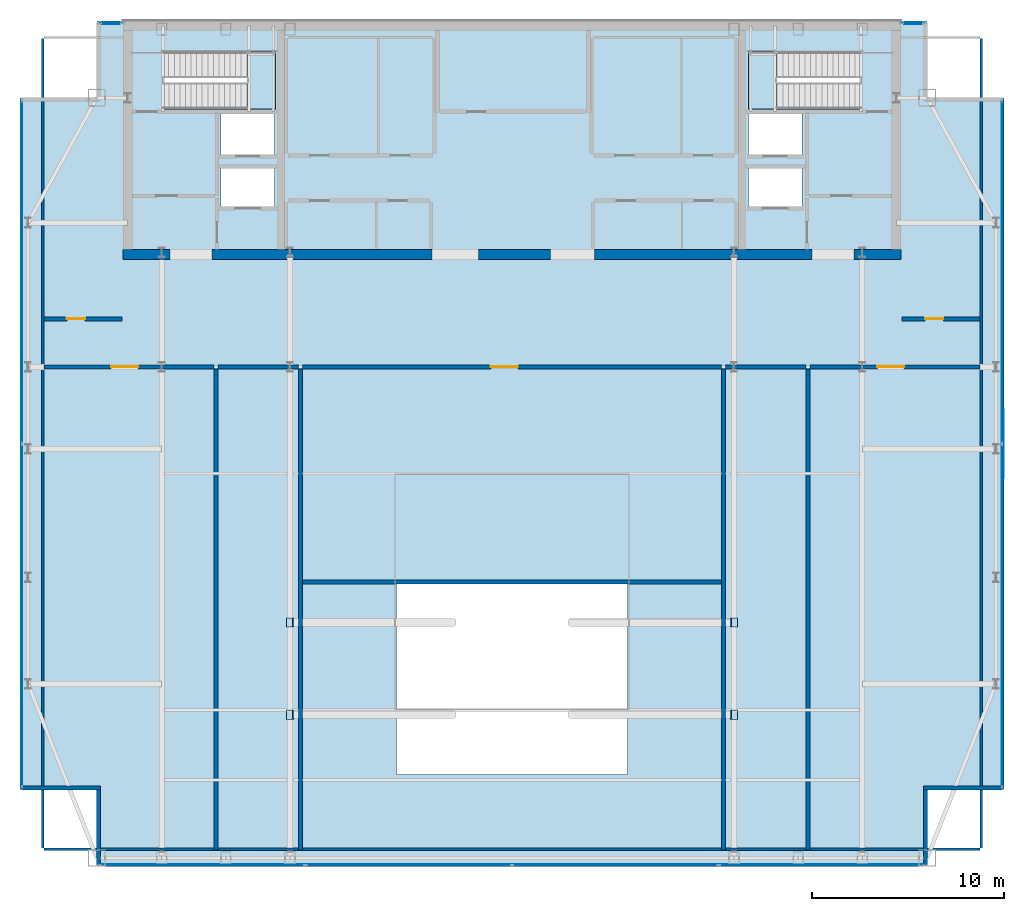
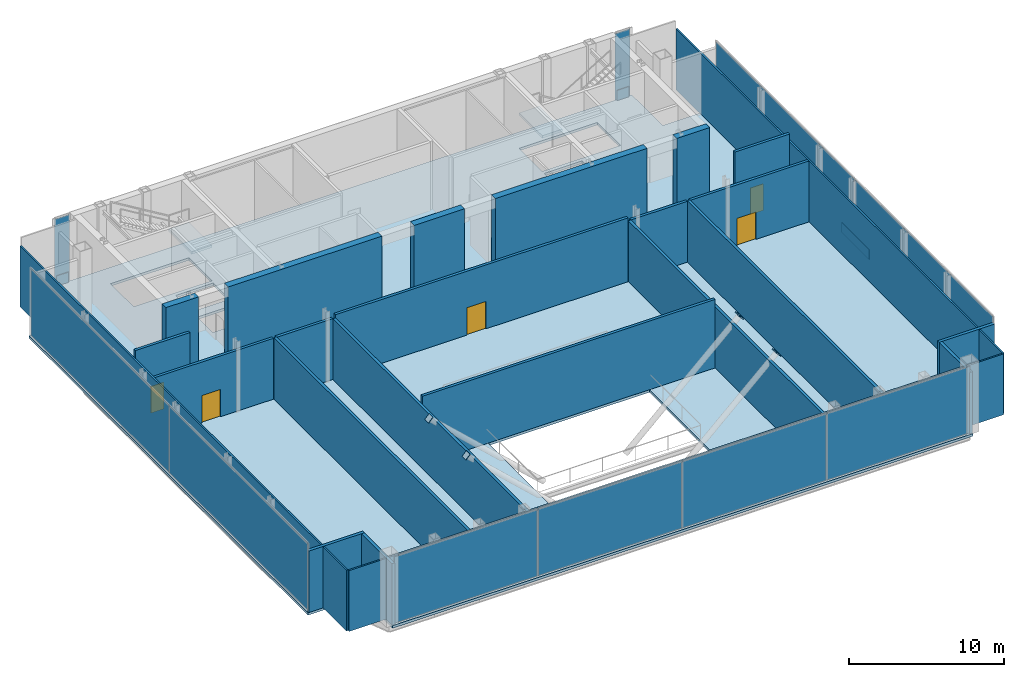
# One storey, part 19 of 23: 24 walls, 17 plates, 5 doors, 3 slabs, 5 openings, 7 elements without a shape of their own.
"""IFC4 building model written with IfcOpenShell, lengths in metres."""

from ifc_helpers import new_model, si_unit, direction, frame, frame_2d, origin, origin_2d, place, context, subcontext, project, spatial, polyline, rectangle, outline, extrude, material, layer, layer_set, type_object, element, fill, aggregate, save


model = new_model("IFC4")

# Units and contexts
model_context = context("Model", 3, precision=1e-05, world=origin(), true_north=direction((0.0, 1.0)))
body_context = subcontext(model_context, "Body", "Model", "MODEL_VIEW")
ifc_project = project(units=[si_unit("LENGTHUNIT", "METRE"), si_unit("AREAUNIT", "SQUARE_METRE"), si_unit("VOLUMEUNIT", "CUBIC_METRE"), si_unit("PLANEANGLEUNIT", "RADIAN"), si_unit("MASSUNIT", "GRAM", prefix="KILO")], contexts=[model_context])

# Site, building, storey
site_placement = place(None, origin())
site = spatial("IfcSite", under=ifc_project, at=site_placement, CompositionType="ELEMENT")
building_placement = place(site_placement, origin())
building = spatial("IfcBuilding", under=site, at=building_placement, Name="Khoronbel Lancet Exchange", CompositionType="ELEMENT")
storey_placement = place(building_placement, frame((0.0, 0.0, 356.199951171875)))
storey = spatial("IfcBuildingStorey", under=building, at=storey_placement, Name="L92", CompositionType="ELEMENT", Elevation=356.199951171875)

# Curtain wall, plate
ifc_material_1 = material(Name="Low-E Solar Control Insulating Glass", Category="glass")
curtain_wall_type = type_object("IfcCurtainWallType", Name="CW-6", PredefinedType="NOTDEFINED", material=ifc_material_1)
curtain_wall_1_placement = place(storey_placement, origin())
curtain_wall_1 = element("IfcCurtainWall", 1, at=curtain_wall_1_placement, inside=storey, type_object=curtain_wall_type, Name="Unitised curtain wall CW-L92-NWFLK", PredefinedType="NOTDEFINED")
ifc_material_2 = material(Name="Bronze-Anodised Aluminium 6063-T6", Category="aluminium")
ifc_layer_1 = layer(ifc_material_2, 0.050048828125, Name="Bronze-Anodised Aluminium 6063-T6")
ifc_layer_set_1 = layer_set([ifc_layer_1], Name="Bronze-Anodised Aluminium 6063-T6")
plate_type_1 = type_object("IfcPlateType", Name="PLT-CSP1", PredefinedType="SHEET", material=ifc_layer_set_1)
plate_1_placement = place(storey_placement, frame((15.580078125, 53.550048828125, 0.0498046875), z_axis=(0.0, 0.0, 1.0), x_axis=(-1.0, 0.0, 0.0)))
plate_1 = element("IfcPlate", 2, at=plate_1_placement, type_object=plate_type_1, Name="Insulated bronze spandrel cassette CW-L92-NWFLK", PredefinedType="SHEET", context=body_context, shape_type="SweptSolid", body=[
    extrude(rectangle(XDim=0.89599609375, YDim=0.050048828125, at=origin_2d()), origin(), (0.0, 0.0, 1.0), 0.800048828125),
])

curtain_wall_2_placement = place(storey_placement, origin())
curtain_wall_2 = element("IfcCurtainWall", 3, at=curtain_wall_2_placement, inside=storey, type_object=curtain_wall_type, Name="Unitised curtain wall CW-L92-NEFLK", PredefinedType="NOTDEFINED")
plate_2_placement = place(storey_placement, frame((57.320068359375, 53.550048828125, 0.0498046875), z_axis=(0.0, 0.0, 1.0), x_axis=(-1.0, 0.0, 0.0)))
plate_2 = element("IfcPlate", 4, at=plate_2_placement, type_object=plate_type_1, Name="Insulated bronze spandrel cassette CW-L92-NEFLK", PredefinedType="SHEET", context=body_context, shape_type="SweptSolid", body=[
    extrude(rectangle(XDim=0.89599609375, YDim=0.050048828125, at=origin_2d()), origin(), (0.0, 0.0, 1.0), 0.800048828125),
])

curtain_wall_3_placement = place(storey_placement, origin())
curtain_wall_3 = element("IfcCurtainWall", 5, at=curtain_wall_3_placement, inside=storey, type_object=curtain_wall_type, Name="Unitised curtain wall CW-L92-E09", PredefinedType="NOTDEFINED")
plate_3_placement = place(storey_placement, frame((62.02001953125, 31.699951171875, 0.0498046875), z_axis=(0.0, 0.0, 1.0), x_axis=(0.0, -1.0, 0.0)))
plate_3 = element("IfcPlate", 6, at=plate_3_placement, type_object=plate_type_1, Name="Insulated bronze spandrel cassette CW-L92-E09", PredefinedType="SHEET", context=body_context, shape_type="SweptSolid", body=[
    extrude(rectangle(XDim=3.60009765625, YDim=0.050048828125, at=origin_2d()), origin(), (0.0, 0.0, 1.0), 0.800048828125),
])

# Curtain wall, plates
curtain_wall_4_placement = place(storey_placement, origin())
curtain_wall_4 = element("IfcCurtainWall", 7, at=curtain_wall_4_placement, inside=storey, type_object=curtain_wall_type, Name="Unitised curtain wall CW-L92-E03", PredefinedType="NOTDEFINED")
ifc_material_3 = material(Name="Ceramic-Fritted Laminated Insulating Glass", Category="glass")
ifc_layer_2 = layer(ifc_material_3, 0.0419921875, Name="Ceramic-Fritted Laminated Insulating Glass")
ifc_layer_set_2 = layer_set([ifc_layer_2], Name="Ceramic-Fritted Laminated Insulating Glass")
plate_type_2 = type_object("IfcPlateType", Name="PLT-CWP2", PredefinedType="CURTAIN_PANEL", material=ifc_layer_set_2)
plate_4_placement = place(storey_placement, frame((10.93994140625, 22.763671875, 0.0849609375), z_axis=(0.0, 0.0, 1.0), x_axis=(0.0, 1.0, 0.0)))
plate_4 = element("IfcPlate", 8, at=plate_4_placement, type_object=plate_type_2, Name="CW6 panel 1.1", PredefinedType="CURTAIN_PANEL", context=body_context, shape_type="SweptSolid", body=[
    extrude(rectangle(XDim=17.797607421875, YDim=0.0380859375, at=origin_2d()), origin(), (0.0, 0.0, 1.0), 5.22998046875),
])
plate_5_placement = place(storey_placement, frame((10.93994140625, 40.63623046875, 0.0849609375), z_axis=(0.0, 0.0, 1.0), x_axis=(0.0, 1.0, 0.0)))
plate_5 = element("IfcPlate", 9, at=plate_5_placement, type_object=plate_type_2, Name="CW6 panel 2.1", PredefinedType="CURTAIN_PANEL", context=body_context, shape_type="SweptSolid", body=[
    extrude(rectangle(XDim=17.797607421875, YDim=0.0380859375, at=origin_2d()), origin(), (0.0, 0.0, 1.0), 5.22998046875),
])
aggregate(curtain_wall_4, [plate_4, plate_5])

# Plate
plate_6_placement = place(storey_placement, frame((15.580078125, 53.610107421875, 0.0849609375), z_axis=(0.0, 0.0, 1.0), x_axis=(-1.0, 0.0, 0.0)))
plate_6 = element("IfcPlate", 10, at=plate_6_placement, type_object=plate_type_2, Name="CW6 panel 1.1", PredefinedType="CURTAIN_PANEL", context=body_context, shape_type="SweptSolid", body=[
    extrude(rectangle(XDim=1.110107421875, YDim=0.0380859375, at=origin_2d()), origin(), (0.0, 0.0, 1.0), 5.22998046875),
])

aggregate(curtain_wall_1, [plate_6, plate_1])

plate_7_placement = place(storey_placement, frame((57.320068359375, 53.610107421875, 0.0849609375), z_axis=(0.0, 0.0, 1.0), x_axis=(-1.0, 0.0, 0.0)))
plate_7 = element("IfcPlate", 11, at=plate_7_placement, type_object=plate_type_2, Name="CW6 panel 1.1", PredefinedType="CURTAIN_PANEL", context=body_context, shape_type="SweptSolid", body=[
    extrude(rectangle(XDim=1.110107421875, YDim=0.0380859375, at=origin_2d()), origin(), (0.0, 0.0, 1.0), 5.22998046875),
])

aggregate(curtain_wall_2, [plate_7, plate_2])

plate_8_placement = place(storey_placement, frame((61.9599609375, 40.63623046875, 0.0849609375), z_axis=(0.0, 0.0, 1.0), x_axis=(0.0, -1.0, 0.0)))
plate_8 = element("IfcPlate", 12, at=plate_8_placement, type_object=plate_type_2, Name="CW6 panel 1.1", PredefinedType="CURTAIN_PANEL", context=body_context, shape_type="SweptSolid", body=[
    extrude(rectangle(XDim=17.797607421875, YDim=0.0380859375, at=origin_2d()), origin(), (0.0, 0.0, 1.0), 5.22998046875),
])

plate_9_placement = place(storey_placement, frame((61.9599609375, 22.763671875, 0.0849609375), z_axis=(0.0, 0.0, 1.0), x_axis=(0.0, -1.0, 0.0)))
plate_9 = element("IfcPlate", 13, at=plate_9_placement, type_object=plate_type_2, Name="CW6 panel 2.1", PredefinedType="CURTAIN_PANEL", context=body_context, shape_type="SweptSolid", body=[
    extrude(rectangle(XDim=17.797607421875, YDim=0.0380859375, at=origin_2d()), origin(), (0.0, 0.0, 1.0), 5.22998046875),
])

aggregate(curtain_wall_3, [plate_8, plate_9, plate_3])

# Curtain wall, plates
curtain_wall_5_placement = place(storey_placement, origin())
curtain_wall_5 = element("IfcCurtainWall", 14, at=curtain_wall_5_placement, inside=storey, type_object=curtain_wall_type, Name="Unitised curtain wall CW-L92-E12", PredefinedType="NOTDEFINED")
plate_10_placement = place(storey_placement, frame((52.563720703125, 9.7900390625, 0.0849609375), z_axis=(0.0, 0.0, 1.0), x_axis=(-1.0, 0.0, 0.0)))
plate_10 = element("IfcPlate", 15, at=plate_10_placement, type_object=plate_type_2, Name="CW6 panel 1.1", PredefinedType="CURTAIN_PANEL", context=body_context, shape_type="SweptSolid", body=[
    extrude(rectangle(XDim=10.642578125, YDim=0.0380859375, at=origin_2d()), origin(), (0.0, 0.0, 1.0), 5.22998046875),
])
plate_11_placement = place(storey_placement, frame((41.827392578125, 9.7900390625, 0.0849609375), z_axis=(0.0, 0.0, 1.0), x_axis=(-1.0, 0.0, 0.0)))
plate_11 = element("IfcPlate", 16, at=plate_11_placement, type_object=plate_type_2, Name="CW6 panel 2.1", PredefinedType="CURTAIN_PANEL", context=body_context, shape_type="SweptSolid", body=[
    extrude(rectangle(XDim=10.679931640625, YDim=0.0380859375, at=origin_2d()), origin(), (0.0, 0.0, 1.0), 5.22998046875),
])
plate_12_placement = place(storey_placement, frame((31.072509765625, 9.7900390625, 0.0849609375), z_axis=(0.0, 0.0, 1.0), x_axis=(-1.0, 0.0, 0.0)))
plate_12 = element("IfcPlate", 17, at=plate_12_placement, type_object=plate_type_2, Name="CW6 panel 3.1", PredefinedType="CURTAIN_PANEL", context=body_context, shape_type="SweptSolid", body=[
    extrude(rectangle(XDim=10.679931640625, YDim=0.0380859375, at=origin_2d()), origin(), (0.0, 0.0, 1.0), 5.22998046875),
])
plate_13_placement = place(storey_placement, frame((20.336181640625, 9.7900390625, 0.0849609375), z_axis=(0.0, 0.0, 1.0), x_axis=(-1.0, 0.0, 0.0)))
plate_13 = element("IfcPlate", 18, at=plate_13_placement, type_object=plate_type_2, Name="CW6 panel 4.1", PredefinedType="CURTAIN_PANEL", context=body_context, shape_type="SweptSolid", body=[
    extrude(rectangle(XDim=10.642578125, YDim=0.0380859375, at=origin_2d()), origin(), (0.0, 0.0, 1.0), 5.22998046875),
])
aggregate(curtain_wall_5, [plate_10, plate_11, plate_12, plate_13])

# Plates
ifc_material_4 = material(Name="Steel S460", Category="steel")
ifc_layer_3 = layer(ifc_material_4, 0.044921875, Name="Steel S460")
ifc_layer_set_3 = layer_set([ifc_layer_3], Name="Steel S460")
plate_type_3 = type_object("IfcPlateType", Name="PLT-ECP1", PredefinedType="USERDEFINED", material=ifc_layer_set_3)
for number, where, z_axis, x_axis, name in (
    (19, (24.71240234375, 17.840087890625, 4.94677734375), (-0.732322378216, 0.0, 0.6809581003), (0.0, -1.0, 0.0), "Hollow end cap plate PLT-CAP-MEM-L92-TMD-HGR1-1"),
    (20, (48.1875, 17.360107421875, 4.94677734375), (0.732576022975, 0.0, 0.680685221348), (0.0, 1.0, 0.0), "Hollow end cap plate PLT-CAP-MEM-L92-TMD-HGR2-1"),
    (21, (48.1875, 22.159912109375, 4.94677734375), (0.732576022975, 0.0, 0.680685221348), (0.0, 1.0, 0.0), "Hollow end cap plate PLT-CAP-MEM-L92-TMD-HGR3-1"),
    (22, (24.71240234375, 22.639892578125, 4.94677734375), (-0.732322378216, 0.0, 0.6809581003), (0.0, -1.0, 0.0), "Hollow end cap plate PLT-CAP-MEM-L92-TMD-HGR4-1"),
):
    element("IfcPlate", number, at=place(storey_placement, frame(where, z_axis=z_axis, x_axis=x_axis)), inside=storey, type_object=plate_type_3, Name=name, ObjectType="STIFFENER_PLATE", PredefinedType="USERDEFINED", context=body_context, shape_type="SweptSolid", body=[
        extrude(outline(polyline([(0.0, 0.0), (0.47998046875, 0.0), (0.47998046875, 0.47998046875), (0.0, 0.47998046875), (0.0, 0.0)])), origin(), (0.0, 0.0, -1.0), 0.044921875),
    ])

# Slab
ifc_material_5 = material(Name="Concrete C40/50", Category="concrete")
ifc_layer_4 = layer(ifc_material_5, 0.199951171875, Name="Concrete C40/50")
ifc_layer_set_4 = layer_set([ifc_layer_4], Name="Concrete C40/50")
slab_type_1 = type_object("IfcSlabType", Name="SL-FL200", PredefinedType="FLOOR", material=ifc_layer_set_4)
slab_1_placement = place(storey_placement, frame((0.0, 0.0, -0.199951171875)))
element("IfcSlab", 23, at=slab_1_placement, inside=storey, type_object=slab_type_1, Name="Level L92 composite structural floor slab", PredefinedType="FLOOR", context=body_context, shape_type="SweptSolid", body=[
    extrude(outline(polyline([(14.85009765625, 9.699951171875), (58.050048828125, 9.699951171875), (58.050048828125, 13.699951171875), (62.050048828125, 13.699951171875), (62.050048828125, 17.699951171875), (62.050048828125, 45.699951171875), (62.050048828125, 49.699951171875), (58.050048828125, 49.699951171875), (58.050048828125, 53.699951171875), (14.85009765625, 53.699951171875), (14.85009765625, 49.699951171875), (10.85009765625, 49.699951171875), (10.85009765625, 45.699951171875), (10.85009765625, 17.699951171875), (10.85009765625, 13.699951171875), (14.85009765625, 13.699951171875), (14.85009765625, 9.699951171875)]), holes=[polyline([(18.324951171875, 49.1201171875), (24.14990234375, 49.1201171875), (24.14990234375, 52.10009765625), (18.324951171875, 52.10009765625), (18.324951171875, 49.1201171875)]), polyline([(48.75, 49.1201171875), (54.574951171875, 49.1201171875), (54.574951171875, 52.10009765625), (48.75, 52.10009765625), (48.75, 49.1201171875)]), polyline([(21.300048828125, 46.75), (24.10009765625, 46.75), (24.10009765625, 48.85009765625), (21.300048828125, 48.85009765625), (21.300048828125, 46.75)]), polyline([(48.75, 46.75), (51.550048828125, 46.75), (51.550048828125, 48.85009765625), (48.75, 48.85009765625), (48.75, 46.75)]), polyline([(21.300048828125, 44.050048828125), (24.10009765625, 44.050048828125), (24.10009765625, 46.050048828125), (21.300048828125, 46.050048828125), (21.300048828125, 44.050048828125)]), polyline([(48.75, 44.050048828125), (51.550048828125, 44.050048828125), (51.550048828125, 46.050048828125), (48.75, 46.050048828125), (48.75, 44.050048828125)]), polyline([(30.449951171875, 14.5), (42.449951171875, 14.5), (42.449951171875, 24.39990234375), (30.449951171875, 24.39990234375), (30.449951171875, 14.5)])]), origin(), (0.0, 0.0, 1.0), 0.199951171875),
])

# Stair, slab
stair_type = type_object("IfcStairType", Name="STR-CRN135", PredefinedType="HALF_TURN_STAIR", material=ifc_material_5)
stair_1_placement = place(storey_placement, origin())
stair_1 = element("IfcStair", 24, at=stair_1_placement, inside=storey, type_object=stair_type, Name="L92 Protected Exit Stair ST1", PredefinedType="HALF_TURN_STAIR")
ifc_layer_5 = layer(ifc_material_5, 0.199951171875, Name="Concrete C40/50")
ifc_layer_set_5 = layer_set([ifc_layer_5], Name="Concrete C40/50")
slab_type_2 = type_object("IfcSlabType", Name="SL-LND180", PredefinedType="LANDING", material=ifc_layer_set_5)
slab_2_placement = place(storey_placement, frame((0.0, 0.0, 2.60009765625)))
slab_2 = element("IfcSlab", 25, at=slab_2_placement, type_object=slab_type_2, Name="ST1 landing 1", PredefinedType="LANDING", context=body_context, shape_type="SweptSolid", body=[
    extrude(outline(polyline([(22.64990234375, 49.1201171875), (24.14990234375, 49.1201171875), (24.14990234375, 52.10009765625), (22.64990234375, 52.10009765625), (22.64990234375, 49.1201171875)])), origin(), (0.0, 0.0, 1.0), 0.199951171875),
])
aggregate(stair_1, [slab_2])

stair_2_placement = place(storey_placement, origin())
stair_2 = element("IfcStair", 26, at=stair_2_placement, inside=storey, type_object=stair_type, Name="L92 Protected Exit Stair ST2", PredefinedType="HALF_TURN_STAIR")
slab_3_placement = place(storey_placement, frame((0.0, 0.0, 2.60009765625)))
slab_3 = element("IfcSlab", 27, at=slab_3_placement, type_object=slab_type_2, Name="ST2 landing 1", PredefinedType="LANDING", context=body_context, shape_type="SweptSolid", body=[
    extrude(outline(polyline([(50.25, 52.10009765625), (48.75, 52.10009765625), (48.75, 49.1201171875), (50.25, 49.1201171875), (50.25, 52.10009765625)])), origin(), (0.0, 0.0, 1.0), 0.199951171875),
])
aggregate(stair_2, [slab_3])

# Walls
ifc_material_6 = material(Name="Concrete C60/75", Category="concrete")
ifc_layer_6 = layer(ifc_material_6, 0.5, Name="Concrete C60/75")
ifc_layer_set_6 = layer_set([ifc_layer_6], Name="Concrete C60/75")
wall_type_1 = type_object("IfcWallType", Name="WL-CW4", PredefinedType="SHEAR", material=ifc_layer_set_6)
wall_1_placement = place(storey_placement, frame((18.64990234375, 41.550048828125, 0.0), z_axis=(0.0, 0.0, 1.0), x_axis=(-1.0, 0.0, 0.0)))
element("IfcWall", 28, at=wall_1_placement, inside=storey, type_object=wall_type_1, Name="Level L92 rear core south shear wall pier P1", PredefinedType="SHEAR", context=body_context, shape_type="SweptSolid", body=[
    extrude(rectangle(XDim=2.449951171875, YDim=0.5, at=frame_2d((1.22509765625, 0.0))), origin(), (0.0, 0.0, 1.0), 5.400146484375),
])
wall_2_placement = place(storey_placement, frame((32.300048828125, 41.550048828125, 0.0), z_axis=(0.0, 0.0, 1.0), x_axis=(-1.0, 0.0, 0.0)))
element("IfcWall", 29, at=wall_2_placement, inside=storey, type_object=wall_type_1, Name="Level L92 rear core south shear wall pier P2", PredefinedType="SHEAR", context=body_context, shape_type="SweptSolid", body=[
    extrude(rectangle(XDim=11.449951171875, YDim=0.5, at=frame_2d((5.72509765625, 0.0))), origin(), (0.0, 0.0, 1.0), 5.400146484375),
])
wall_3_placement = place(storey_placement, frame((38.449951171875, 41.550048828125, 0.0), z_axis=(0.0, 0.0, 1.0), x_axis=(-1.0, 0.0, 0.0)))
element("IfcWall", 30, at=wall_3_placement, inside=storey, type_object=wall_type_1, Name="Level L92 rear core south shear wall pier P3", PredefinedType="SHEAR", context=body_context, shape_type="SweptSolid", body=[
    extrude(rectangle(XDim=3.75, YDim=0.5, at=frame_2d((1.875, 0.0))), origin(), (0.0, 0.0, 1.0), 5.400146484375),
])
wall_4_placement = place(storey_placement, frame((52.050048828125, 41.550048828125, 0.0), z_axis=(0.0, 0.0, 1.0), x_axis=(-1.0, 0.0, 0.0)))
element("IfcWall", 31, at=wall_4_placement, inside=storey, type_object=wall_type_1, Name="Level L92 rear core south shear wall pier P4", PredefinedType="SHEAR", context=body_context, shape_type="SweptSolid", body=[
    extrude(rectangle(XDim=11.300048828125, YDim=0.5, at=frame_2d((5.64990234375, 0.0))), origin(), (0.0, 0.0, 1.0), 5.400146484375),
])
wall_5_placement = place(storey_placement, frame((56.699951171875, 41.550048828125, 0.0), z_axis=(0.0, 0.0, 1.0), x_axis=(-1.0, 0.0, 0.0)))
element("IfcWall", 32, at=wall_5_placement, inside=storey, type_object=wall_type_1, Name="Level L92 rear core south shear wall pier P5", PredefinedType="SHEAR", context=body_context, shape_type="SweptSolid", body=[
    extrude(rectangle(XDim=2.449951171875, YDim=0.5, at=frame_2d((1.22509765625, 0.0))), origin(), (0.0, 0.0, 1.0), 5.400146484375),
])
ifc_material_7 = material(Name="Precast concrete C40/50", Category="concrete")
ifc_layer_7 = layer(ifc_material_7, 0.25, Name="Precast concrete C40/50")
ifc_layer_set_7 = layer_set([ifc_layer_7], Name="Precast concrete C40/50")
wall_type_2 = type_object("IfcWallType", Name="WL-EXT250", PredefinedType="SOLIDWALL", material=ifc_layer_set_7)
wall_6_placement = place(storey_placement, frame((14.93994140625, 9.77001953125, 0.0), z_axis=(0.0, 0.0, 1.0), x_axis=(0.0, 1.0, 0.0)))
element("IfcWall", 33, at=wall_6_placement, inside=storey, type_object=wall_type_2, Name="Level L92 notched-corner limestone pier 01", PredefinedType="SOLIDWALL", context=body_context, shape_type="SweptSolid", body=[
    extrude(rectangle(XDim=3.909912109375, YDim=0.219970703125, at=frame_2d((1.955078125, 0.0))), origin(), (0.0, 0.0, 1.0), 4.840087890625),
])
wall_7_placement = place(storey_placement, frame((15.050048828125, 13.7900390625, 0.0), z_axis=(0.0, 0.0, 1.0), x_axis=(-1.0, 0.0, 0.0)))
element("IfcWall", 34, at=wall_7_placement, inside=storey, type_object=wall_type_2, Name="Level L92 notched-corner limestone pier 02", PredefinedType="SOLIDWALL", context=body_context, shape_type="SweptSolid", body=[
    extrude(rectangle(XDim=4.130126953125, YDim=0.219970703125, at=frame_2d((2.06494140625, 0.0))), origin(), (0.0, 0.0, 1.0), 4.840087890625),
])
wall_8_placement = place(storey_placement, frame((61.97998046875, 13.7900390625, 0.0), z_axis=(0.0, 0.0, 1.0), x_axis=(-1.0, 0.0, 0.0)))
element("IfcWall", 35, at=wall_8_placement, inside=storey, type_object=wall_type_2, Name="Level L92 notched-corner limestone pier 10", PredefinedType="SOLIDWALL", context=body_context, shape_type="SweptSolid", body=[
    extrude(rectangle(XDim=4.1298828125, YDim=0.219970703125, at=frame_2d((2.06494140625, 0.0))), origin(), (0.0, 0.0, 1.0), 4.840087890625),
])
wall_9_placement = place(storey_placement, frame((57.9599609375, 13.679931640625, 0.0), z_axis=(0.0, 0.0, 1.0), x_axis=(0.0, -1.0, 0.0)))
element("IfcWall", 36, at=wall_9_placement, inside=storey, type_object=wall_type_2, Name="Level L92 notched-corner limestone pier 11", PredefinedType="SOLIDWALL", context=body_context, shape_type="SweptSolid", body=[
    extrude(rectangle(XDim=3.909912109375, YDim=0.219970703125, at=frame_2d((1.955078125, 0.0))), origin(), (0.0, 0.0, 1.0), 4.840087890625),
])
ifc_material_8 = material(Name="Acoustic Metal-Stud & Mineral-Wool Gypsum Partition 120 mm", Category="gypsum")
ifc_layer_8 = layer(ifc_material_8, 0.1201171875, Name="Acoustic Metal-Stud & Mineral-Wool Gypsum Partition 120 mm")
ifc_layer_set_8 = layer_set([ifc_layer_8], Name="Acoustic Metal-Stud & Mineral-Wool Gypsum Partition 120 mm")
wall_type_3 = type_object("IfcWallType", Name="WL-PRT120", PredefinedType="PARTITIONING", material=ifc_layer_set_8)
for number, where, z_axis, x_axis, name in (
    (37, (12.030029296875, 10.6650390625, 0.0), (0.0, 0.0, 1.0), (0.0, 1.0, 0.0), "Level L92 interior partition PW-LIN-W"),
    (38, (60.8701171875, 10.6650390625, 0.0), (0.0, 0.0, 1.0), (0.0, 1.0, 0.0), "Level L92 interior partition PW-LIN-E"),
):
    element("IfcWall", number, at=place(storey_placement, frame(where, z_axis=z_axis, x_axis=x_axis)), inside=storey, type_object=wall_type_3, Name=name, PredefinedType="PARTITIONING", context=body_context, shape_type="SweptSolid", body=[
        extrude(rectangle(XDim=42.10986328125, YDim=0.1201171875, at=frame_2d((21.054931640625, 0.0))), origin(), (0.0, 0.0, 1.0), 4.7900390625),
    ])
wall_10_placement = place(storey_placement, frame((12.094970703125, 10.60009765625, 0.0), z_axis=(0.0, 0.0, 1.0), x_axis=(1.0, 0.0, 0.0)))
element("IfcWall", 39, at=wall_10_placement, inside=storey, type_object=wall_type_3, Name="Level L92 interior partition PW-LIN-S", PredefinedType="PARTITIONING", context=body_context, shape_type="SweptSolid", body=[
    extrude(rectangle(XDim=48.7099609375, YDim=0.1201171875, at=frame_2d((24.35498046875, 0.0))), origin(), (0.0, 0.0, 1.0), 4.7900390625),
])

# Wall, opening, door
ifc_material_9 = material(Name="Autoclaved Aerated Concrete Blockwork 200 mm", Category="masonry")
ifc_layer_9 = layer(ifc_material_9, 0.199951171875, Name="Autoclaved Aerated Concrete Blockwork 200 mm")
ifc_layer_set_9 = layer_set([ifc_layer_9], Name="Autoclaved Aerated Concrete Blockwork 200 mm")
wall_type_4 = type_object("IfcWallType", Name="WL-PRT200", PredefinedType="PARTITIONING", material=ifc_layer_set_9)
wall_11_placement = place(storey_placement, frame((12.094970703125, 35.699951171875, 0.0), z_axis=(0.0, 0.0, 1.0), x_axis=(1.0, 0.0, 0.0)))
wall_11 = element("IfcWall", 40, at=wall_11_placement, inside=storey, type_object=wall_type_4, Name="Level L92 interior partition PW-TMD-S1", PredefinedType="PARTITIONING", context=body_context, shape_type="SweptSolid", body=[
    extrude(rectangle(XDim=8.85009765625, YDim=0.199951171875, at=frame_2d((4.425048828125, 0.0))), origin(), (0.0, 0.0, 1.0), 4.7900390625),
])
opening_1_placement = place(wall_11_placement, frame((3.5, 0.0, 0.0)))
opening_1 = element("IfcOpeningElement", 41, at=opening_1_placement, cuts=wall_11, Name="Opening D7", PredefinedType="OPENING", context=body_context, shape_type="SweptSolid", body=[
    extrude(rectangle(XDim=1.39990234375, YDim=2.14990234375, at=frame_2d((0.699951171875, 1.074951171875))), frame((0.0, 0.10986328125, 0.0), z_axis=(0.0, -1.0, 0.0), x_axis=(1.0, 0.0, 0.0)), (0.0, 0.0, 1.0), 0.219970703125),
])
ifc_material_10 = material(Name="Fire-Rated Heavy Plant Double Door Assembly", Category="steel")
door_type_1 = type_object("IfcDoorType", Name="DR-D7", OperationType="NOTDEFINED", PredefinedType="DOOR", material=ifc_material_10)
door_1_placement = place(opening_1_placement, origin())
door_1 = element("IfcDoor", 42, at=door_1_placement, inside=storey, type_object=door_type_1, Name="Damper hydraulic plant door L92-1", OperationType="DOUBLE_DOOR_SINGLE_SWING", OverallHeight=2.14990234375, OverallWidth=1.39990234375, PredefinedType="DOOR", context=body_context, shape_type="SweptSolid", body=[
    extrude(rectangle(XDim=1.39990234375, YDim=2.14990234375, at=frame_2d((0.699951171875, 1.074951171875))), frame((0.0, 0.02490234375, 0.0), z_axis=(0.0, -1.0, 0.0), x_axis=(1.0, 0.0, 0.0)), (0.0, 0.0, 1.0), 0.050048828125),
])
fill(opening_1, door_1)

# Wall
wall_12_placement = place(storey_placement, frame((21.155029296875, 35.699951171875, 0.0), z_axis=(0.0, 0.0, 1.0), x_axis=(1.0, 0.0, 0.0)))
element("IfcWall", 43, at=wall_12_placement, inside=storey, type_object=wall_type_4, Name="Level L92 interior partition PW-TMD-S2", PredefinedType="PARTITIONING", context=body_context, shape_type="SweptSolid", body=[
    extrude(rectangle(XDim=4.18994140625, YDim=0.199951171875, at=frame_2d((2.094970703125, 0.0))), origin(), (0.0, 0.0, 1.0), 4.7900390625),
])

# Wall, opening, door
wall_13_placement = place(storey_placement, frame((25.554931640625, 35.699951171875, 0.0), z_axis=(0.0, 0.0, 1.0), x_axis=(1.0, 0.0, 0.0)))
wall_13 = element("IfcWall", 44, at=wall_13_placement, inside=storey, type_object=wall_type_4, Name="Level L92 interior partition PW-TMD-S3", PredefinedType="PARTITIONING", context=body_context, shape_type="SweptSolid", body=[
    extrude(rectangle(XDim=21.7900390625, YDim=0.199951171875, at=frame_2d((10.89501953125, 0.0))), origin(), (0.0, 0.0, 1.0), 5.030029296875),
])
opening_2_placement = place(wall_13_placement, frame((9.800048828125, 0.0, 0.0)))
opening_2 = element("IfcOpeningElement", 45, at=opening_2_placement, cuts=wall_13, Name="Opening D7", PredefinedType="OPENING", context=body_context, shape_type="SweptSolid", body=[
    extrude(rectangle(XDim=1.39990234375, YDim=2.14990234375, at=frame_2d((0.699951171875, 1.074951171875))), frame((0.0, 0.10986328125, 0.0), z_axis=(0.0, -1.0, 0.0), x_axis=(1.0, 0.0, 0.0)), (0.0, 0.0, 1.0), 0.219970703125),
])
door_2_placement = place(opening_2_placement, origin())
door_2 = element("IfcDoor", 46, at=door_2_placement, inside=storey, type_object=door_type_1, Name="Tuned mass damper chamber double door L92-1", OperationType="DOUBLE_DOOR_SINGLE_SWING", OverallHeight=2.14990234375, OverallWidth=1.39990234375, PredefinedType="DOOR", context=body_context, shape_type="SweptSolid", body=[
    extrude(rectangle(XDim=1.39990234375, YDim=2.14990234375, at=frame_2d((0.699951171875, 1.074951171875))), frame((0.0, 0.02490234375, 0.0), z_axis=(0.0, -1.0, 0.0), x_axis=(1.0, 0.0, 0.0)), (0.0, 0.0, 1.0), 0.050048828125),
])
fill(opening_2, door_2)

# Wall
wall_14_placement = place(storey_placement, frame((47.554931640625, 35.699951171875, 0.0), z_axis=(0.0, 0.0, 1.0), x_axis=(1.0, 0.0, 0.0)))
element("IfcWall", 47, at=wall_14_placement, inside=storey, type_object=wall_type_4, Name="Level L92 interior partition PW-TMD-S4", PredefinedType="PARTITIONING", context=body_context, shape_type="SweptSolid", body=[
    extrude(rectangle(XDim=4.190185546875, YDim=0.199951171875, at=frame_2d((2.09521484375, 0.0))), origin(), (0.0, 0.0, 1.0), 4.7900390625),
])

# Wall, opening, door
wall_15_placement = place(storey_placement, frame((51.955078125, 35.699951171875, 0.0), z_axis=(0.0, 0.0, 1.0), x_axis=(1.0, 0.0, 0.0)))
wall_15 = element("IfcWall", 48, at=wall_15_placement, inside=storey, type_object=wall_type_4, Name="Level L92 interior partition PW-TMD-S5", PredefinedType="PARTITIONING", context=body_context, shape_type="SweptSolid", body=[
    extrude(rectangle(XDim=8.849853515625, YDim=0.199951171875, at=frame_2d((4.4248046875, 0.0))), origin(), (0.0, 0.0, 1.0), 4.7900390625),
])
opening_3_placement = place(wall_15_placement, frame((3.5, 0.0, 0.0)))
opening_3 = element("IfcOpeningElement", 49, at=opening_3_placement, cuts=wall_15, Name="Opening D7", PredefinedType="OPENING", context=body_context, shape_type="SweptSolid", body=[
    extrude(rectangle(XDim=1.39990234375, YDim=2.14990234375, at=frame_2d((0.699951171875, 1.074951171875))), frame((0.0, 0.10986328125, 0.0), z_axis=(0.0, -1.0, 0.0), x_axis=(1.0, 0.0, 0.0)), (0.0, 0.0, 1.0), 0.219970703125),
])
door_3_placement = place(opening_3_placement, origin())
door_3 = element("IfcDoor", 50, at=door_3_placement, inside=storey, type_object=door_type_1, Name="Crown telemetry plant door L92-1", OperationType="DOUBLE_DOOR_SINGLE_SWING", OverallHeight=2.14990234375, OverallWidth=1.39990234375, PredefinedType="DOOR", context=body_context, shape_type="SweptSolid", body=[
    extrude(rectangle(XDim=1.39990234375, YDim=2.14990234375, at=frame_2d((0.699951171875, 1.074951171875))), frame((0.0, 0.02490234375, 0.0), z_axis=(0.0, -1.0, 0.0), x_axis=(1.0, 0.0, 0.0)), (0.0, 0.0, 1.0), 0.050048828125),
])
fill(opening_3, door_3)

# Walls
wall_16_placement = place(storey_placement, frame((21.050048828125, 10.56494140625, 0.0), z_axis=(0.0, 0.0, 1.0), x_axis=(0.0, 1.0, 0.0)))
element("IfcWall", 51, at=wall_16_placement, inside=storey, type_object=wall_type_4, Name="Level L92 interior partition PW-TMD-W1", PredefinedType="PARTITIONING", context=body_context, shape_type="SweptSolid", body=[
    extrude(rectangle(XDim=25.030029296875, YDim=0.199951171875, at=frame_2d((12.51513671875, 0.0))), origin(), (0.0, 0.0, 1.0), 4.840087890625),
])
for number, where, z_axis, x_axis, name in (
    (52, (25.449951171875, 10.56494140625, 0.0), (0.0, 0.0, 1.0), (0.0, 1.0, 0.0), "Level L92 interior partition PW-TMD-W2"),
    (53, (47.449951171875, 10.56494140625, 0.0), (0.0, 0.0, 1.0), (0.0, 1.0, 0.0), "Level L92 interior partition PW-TMD-E2"),
):
    element("IfcWall", number, at=place(storey_placement, frame(where, z_axis=z_axis, x_axis=x_axis)), inside=storey, type_object=wall_type_4, Name=name, PredefinedType="PARTITIONING", context=body_context, shape_type="SweptSolid", body=[
        extrude(rectangle(XDim=25.030029296875, YDim=0.199951171875, at=frame_2d((12.51513671875, 0.0))), origin(), (0.0, 0.0, 1.0), 4.7900390625),
    ])
wall_17_placement = place(storey_placement, frame((51.85009765625, 10.56494140625, 0.0), z_axis=(0.0, 0.0, 1.0), x_axis=(0.0, 1.0, 0.0)))
element("IfcWall", 54, at=wall_17_placement, inside=storey, type_object=wall_type_4, Name="Level L92 interior partition PW-TMD-E1", PredefinedType="PARTITIONING", context=body_context, shape_type="SweptSolid", body=[
    extrude(rectangle(XDim=25.030029296875, YDim=0.199951171875, at=frame_2d((12.51513671875, 0.0))), origin(), (0.0, 0.0, 1.0), 4.840087890625),
])
wall_18_placement = place(storey_placement, frame((25.554931640625, 24.5, 0.0), z_axis=(0.0, 0.0, 1.0), x_axis=(1.0, 0.0, 0.0)))
element("IfcWall", 55, at=wall_18_placement, inside=storey, type_object=wall_type_4, Name="Level L92 interior partition PW-TMD-DIV", PredefinedType="PARTITIONING", context=body_context, shape_type="SweptSolid", body=[
    extrude(rectangle(XDim=21.7900390625, YDim=0.199951171875, at=frame_2d((10.89501953125, 0.0))), origin(), (0.0, 0.0, 1.0), 5.400146484375),
])

# Wall, opening, door
wall_19_placement = place(storey_placement, frame((12.094970703125, 38.199951171875, 0.0), z_axis=(0.0, 0.0, 1.0), x_axis=(1.0, 0.0, 0.0)))
wall_19 = element("IfcWall", 56, at=wall_19_placement, inside=storey, type_object=wall_type_4, Name="Level L92 interior partition PW-TMD-NW", PredefinedType="PARTITIONING", context=body_context, shape_type="SweptSolid", body=[
    extrude(rectangle(XDim=4.06494140625, YDim=0.199951171875, at=frame_2d((2.032470703125, 0.0))), origin(), (0.0, 0.0, 1.0), 5.400146484375),
])
opening_4_placement = place(wall_19_placement, frame((1.199951171875, 0.0, 0.0)))
opening_4 = element("IfcOpeningElement", 57, at=opening_4_placement, cuts=wall_19, Name="Opening FD3", PredefinedType="OPENING", context=body_context, shape_type="SweptSolid", body=[
    extrude(rectangle(XDim=0.949951171875, YDim=2.10009765625, at=frame_2d((0.47509765625, 1.050048828125))), frame((0.0, 0.10986328125, 0.0), z_axis=(0.0, -1.0, 0.0), x_axis=(1.0, 0.0, 0.0)), (0.0, 0.0, 1.0), 0.219970703125),
])
ifc_material_11 = material(Name="Fire-Rated Steel Plant & Riser Door Assembly", Category="steel")
door_type_2 = type_object("IfcDoorType", Name="DR-FD3", OperationType="NOTDEFINED", PredefinedType="DOOR", material=ifc_material_11)
door_4_placement = place(opening_4_placement, origin())
door_4 = element("IfcDoor", 58, at=door_4_placement, inside=storey, type_object=door_type_2, Name="Crown pressurisation fan door L92-1", OperationType="SINGLE_SWING_LEFT", OverallHeight=2.10009765625, OverallWidth=0.949951171875, PredefinedType="DOOR", context=body_context, shape_type="SweptSolid", body=[
    extrude(rectangle(XDim=0.949951171875, YDim=2.10009765625, at=frame_2d((0.47509765625, 1.050048828125))), frame((0.0, 0.02490234375, 0.0), z_axis=(0.0, -1.0, 0.0), x_axis=(1.0, 0.0, 0.0)), (0.0, 0.0, 1.0), 0.050048828125),
])
fill(opening_4, door_4)

wall_20_placement = place(storey_placement, frame((56.739990234375, 38.199951171875, 0.0), z_axis=(0.0, 0.0, 1.0), x_axis=(1.0, 0.0, 0.0)))
wall_20 = element("IfcWall", 59, at=wall_20_placement, inside=storey, type_object=wall_type_4, Name="Level L92 interior partition PW-TMD-NE", PredefinedType="PARTITIONING", context=body_context, shape_type="SweptSolid", body=[
    extrude(rectangle(XDim=4.06494140625, YDim=0.199951171875, at=frame_2d((2.032470703125, 0.0))), origin(), (0.0, 0.0, 1.0), 5.400146484375),
])
opening_5_placement = place(wall_20_placement, frame((1.199951171875, 0.0, 0.0)))
opening_5 = element("IfcOpeningElement", 60, at=opening_5_placement, cuts=wall_20, Name="Opening FD3", PredefinedType="OPENING", context=body_context, shape_type="SweptSolid", body=[
    extrude(rectangle(XDim=0.949951171875, YDim=2.10009765625, at=frame_2d((0.47509765625, 1.050048828125))), frame((0.0, 0.10986328125, 0.0), z_axis=(0.0, -1.0, 0.0), x_axis=(1.0, 0.0, 0.0)), (0.0, 0.0, 1.0), 0.219970703125),
])
door_5_placement = place(opening_5_placement, origin())
door_5 = element("IfcDoor", 61, at=door_5_placement, inside=storey, type_object=door_type_2, Name="Crown UPS room door L92-1", OperationType="SINGLE_SWING_RIGHT", OverallHeight=2.10009765625, OverallWidth=0.949951171875, PredefinedType="DOOR", context=body_context, shape_type="SweptSolid", body=[
    extrude(rectangle(XDim=0.949951171875, YDim=2.10009765625, at=frame_2d((0.47509765625, 1.050048828125))), frame((0.0, 0.02490234375, 0.0), z_axis=(0.0, -1.0, 0.0), x_axis=(1.0, 0.0, 0.0)), (0.0, 0.0, 1.0), 0.050048828125),
])
fill(opening_5, door_5)

save(model, "model.ifc")
